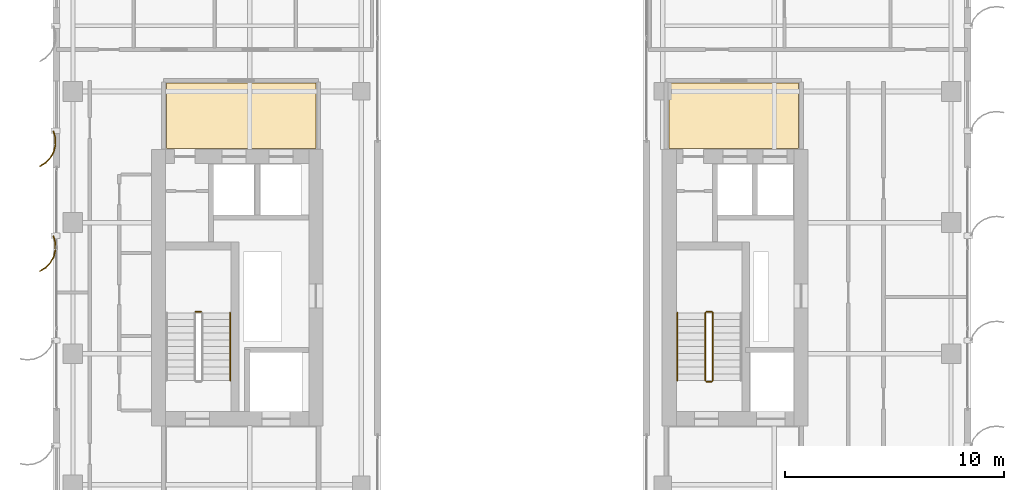
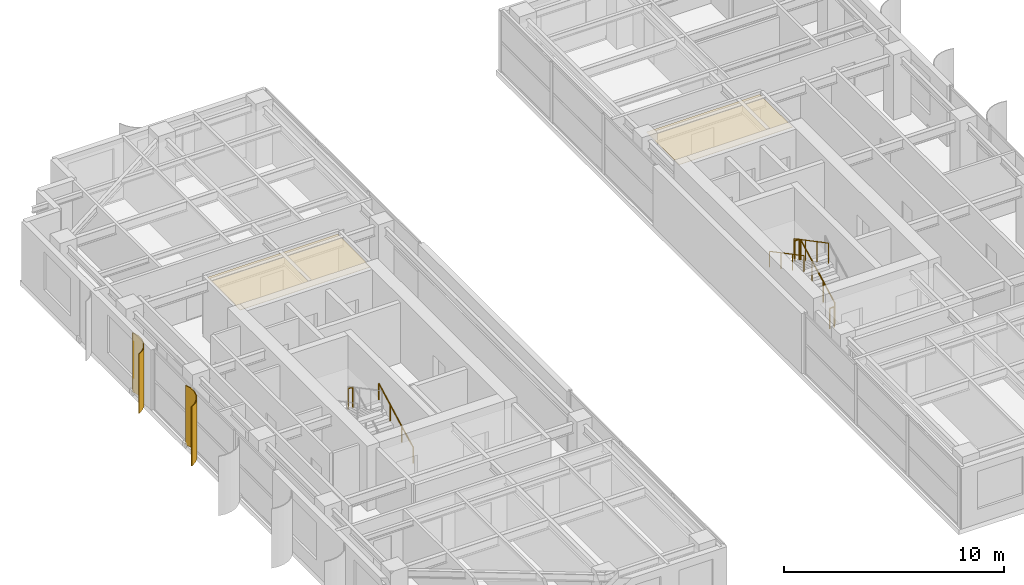
# One storey, part 21 of 22: 7 railings, 2 coverings, 2 shading devices.
"""IFC4 building model written with IfcOpenShell, lengths in metres."""

from ifc_helpers import new_model, si_unit, direction, frame, origin, origin_2d, place, context, subcontext, project, spatial, polyline, circle, outline, extrude, source, transform, mapped, material, layer, layer_set, type_object, element, save


model = new_model("IFC4")

# Units and contexts
model_context = context("Model", 3, precision=1e-05, world=origin(), true_north=direction((0.0, 1.0)))
body_context = subcontext(model_context, "Body", "Model", "MODEL_VIEW")
ifc_project = project(units=[si_unit("LENGTHUNIT", "METRE"), si_unit("AREAUNIT", "SQUARE_METRE"), si_unit("VOLUMEUNIT", "CUBIC_METRE"), si_unit("PLANEANGLEUNIT", "RADIAN"), si_unit("MASSUNIT", "GRAM", prefix="KILO")], contexts=[model_context])

# Site, building, storey
site_placement = place(None, origin())
site = spatial("IfcSite", under=ifc_project, at=site_placement, CompositionType="ELEMENT")
building_placement = place(site_placement, origin())
building = spatial("IfcBuilding", under=site, at=building_placement, Name="Khoralis Quay Care Tower", CompositionType="ELEMENT")
storey_placement = place(building_placement, frame((0.0, 0.0, 191.699951171875)))
storey = spatial("IfcBuildingStorey", under=building, at=storey_placement, Name="L50", CompositionType="ELEMENT", Elevation=191.699951171875)

# Coverings
ifc_material_1 = material(Name="Mineral-fibre acoustic ceiling tile")
ifc_layer_1 = layer(ifc_material_1, 0.01806640625)
ifc_layer_set_1 = layer_set([ifc_layer_1], Name="Mineral-fibre acoustic ceiling tile")
covering_type = type_object("IfcCoveringType", Name="COV-CEIL-AC18", PredefinedType="CEILING", material=ifc_layer_set_1)
covering_1_placement = place(storey_placement, frame((0.0, 0.0, 3.192138671875)))
element("IfcCovering", 1, at=covering_1_placement, inside=storey, type_object=covering_type, Name="Suspended Acoustic Ceiling SP-L50-LLOB-W", PredefinedType="CEILING", context=body_context, shape_type="SweptSolid", body=[
    extrude(outline(polyline([(8.179931640625, 27.39990234375), (15.02001953125, 27.39990234375), (15.02001953125, 30.389892578125), (8.179931640625, 30.389892578125), (8.179931640625, 27.39990234375)])), origin(), (0.0, 0.0, 1.0), 0.017822265625),
])
covering_2_placement = place(storey_placement, frame((0.0, 0.0, 3.192138671875)))
element("IfcCovering", 2, at=covering_2_placement, inside=storey, type_object=covering_type, Name="Suspended Acoustic Ceiling SP-L50-LLOB-E", PredefinedType="CEILING", context=body_context, shape_type="SweptSolid", body=[
    extrude(outline(polyline([(31.179931640625, 27.39990234375), (37.1201171875, 27.39990234375), (37.1201171875, 30.389892578125), (31.179931640625, 30.389892578125), (31.179931640625, 27.39990234375)])), origin(), (0.0, 0.0, 1.0), 0.017822265625),
])

# Railings
ifc_material_2 = material(Name="Brushed stainless steel", Category="steel")
railing_type_1 = type_object("IfcRailingType", Name="RL-GUARD-1150", PredefinedType="GUARDRAIL", material=ifc_material_2)
railing_1_placement = place(storey_placement, frame((9.77001953125, 19.919921875, 1.800048828125)))
element("IfcRailing", 3, at=railing_1_placement, inside=storey, type_object=railing_type_1, Name="L50 ST-T1 stair guard 2", PredefinedType="GUARDRAIL", context=body_context, shape_type="SweptSolid", body=[
    extrude(circle(Radius=0.02392578125, at=origin_2d()), frame((0.0, 0.0, 1.1259765625), z_axis=(-1.0, 0.0, 0.0), x_axis=(0.0, -1.0, 0.0)), (0.0, 0.0, 1.0), 0.239990234375),
    extrude(circle(Radius=0.02099609375, at=origin_2d()), origin(), (0.0, 0.0, 1.0), 1.101806640625),
    extrude(circle(Radius=0.02099609375, at=origin_2d()), frame((-0.239990234375, 0.0, 0.0)), (0.0, 0.0, 1.0), 1.101806640625),
])
railing_2_placement = place(storey_placement, frame((33.18994140625, 16.77001953125, 0.16357421875)))
element("IfcRailing", 4, at=railing_2_placement, inside=storey, type_object=railing_type_1, Name="L50 ST-T2 stair guard 1", PredefinedType="GUARDRAIL", context=body_context, shape_type="SweptSolid", body=[
    extrude(circle(Radius=0.02392578125, at=origin_2d()), frame((0.0, 0.0, 1.1259765625), z_axis=(0.0, 0.884348015382, 0.466828220752), x_axis=(-1.0, 0.0, 0.0)), (0.0, 0.0, 1.0), 3.505615234375),
    extrude(circle(Radius=0.02099609375, at=origin_2d()), origin(), (0.0, 0.0, 1.0), 1.101806640625),
    extrude(circle(Radius=0.02099609375, at=origin_2d()), frame((0.0, 1.033447265625, 0.54541015625)), (0.0, 0.0, 1.0), 1.101806640625),
    extrude(circle(Radius=0.02099609375, at=origin_2d()), frame((0.0, 2.066650390625, 1.091064453125)), (0.0, 0.0, 1.0), 1.101806640625),
    extrude(circle(Radius=0.02099609375, at=origin_2d()), frame((0.0, 3.10009765625, 1.636474609375)), (0.0, 0.0, 1.0), 1.101806640625),
])
railing_3_placement = place(storey_placement, frame((33.139892578125, 19.919921875, 1.800048828125)))
element("IfcRailing", 5, at=railing_3_placement, inside=storey, type_object=railing_type_1, Name="L50 ST-T2 stair guard 2", PredefinedType="GUARDRAIL", context=body_context, shape_type="SweptSolid", body=[
    extrude(circle(Radius=0.02392578125, at=origin_2d()), frame((0.0, 0.0, 1.1259765625), z_axis=(-1.0, 0.0, 0.0), x_axis=(0.0, -1.0, 0.0)), (0.0, 0.0, 1.0), 0.239990234375),
    extrude(circle(Radius=0.02099609375, at=origin_2d()), origin(), (0.0, 0.0, 1.0), 1.101806640625),
    extrude(circle(Radius=0.02099609375, at=origin_2d()), frame((-0.239990234375, 0.0, 0.0)), (0.0, 0.0, 1.0), 1.101806640625),
])
railing_4_placement = place(storey_placement, frame((32.85009765625, 19.8701171875, 1.963623046875)))
element("IfcRailing", 6, at=railing_4_placement, inside=storey, type_object=railing_type_1, Name="L50 ST-T2 stair guard 3", PredefinedType="GUARDRAIL", context=body_context, shape_type="SweptSolid", body=[
    extrude(circle(Radius=0.02392578125, at=origin_2d()), frame((0.0, 0.0, 1.1259765625), z_axis=(0.0, -0.884348015382, 0.466828220752), x_axis=(1.0, 0.0, 0.0)), (0.0, 0.0, 1.0), 3.505615234375),
    extrude(circle(Radius=0.02099609375, at=origin_2d()), origin(), (0.0, 0.0, 1.0), 1.101806640625),
    extrude(circle(Radius=0.02099609375, at=origin_2d()), frame((0.0, -1.033447265625, 0.54541015625)), (0.0, 0.0, 1.0), 1.101806640625),
    extrude(circle(Radius=0.02099609375, at=origin_2d()), frame((0.0, -2.066650390625, 1.091064453125)), (0.0, 0.0, 1.0), 1.101806640625),
    extrude(circle(Radius=0.02099609375, at=origin_2d()), frame((0.0, -3.10009765625, 1.636474609375)), (0.0, 0.0, 1.0), 1.101806640625),
])
railing_5_placement = place(storey_placement, frame((33.139892578125, 16.719970703125, 0.0)))
element("IfcRailing", 7, at=railing_5_placement, inside=storey, type_object=railing_type_1, Name="L50 ST-T2 stair guard 4", PredefinedType="GUARDRAIL", context=body_context, shape_type="SweptSolid", body=[
    extrude(circle(Radius=0.02392578125, at=origin_2d()), frame((0.0, 0.0, 1.1259765625), z_axis=(-1.0, 0.0, 0.0), x_axis=(0.0, -1.0, 0.0)), (0.0, 0.0, 1.0), 0.239990234375),
    extrude(circle(Radius=0.02099609375, at=origin_2d()), origin(), (0.0, 0.0, 1.0), 1.101806640625),
    extrude(circle(Radius=0.02099609375, at=origin_2d()), frame((-0.239990234375, 0.0, 0.0)), (0.0, 0.0, 1.0), 1.101806640625),
])
railing_type_2 = type_object("IfcRailingType", Name="RL-HAND-900", PredefinedType="HANDRAIL", material=ifc_material_2)
railing_6_placement = place(storey_placement, frame((11.10009765625, 16.77001953125, 0.16357421875)))
element("IfcRailing", 8, at=railing_6_placement, inside=storey, type_object=railing_type_2, Name="L50 ST-T1 stair handrail 1", PredefinedType="HANDRAIL", context=body_context, shape_type="SweptSolid", body=[
    extrude(circle(Radius=0.02392578125, at=origin_2d()), frame((0.0, 0.0, 0.8759765625), z_axis=(0.0, 0.884348015382, 0.466828220752), x_axis=(-1.0, 0.0, 0.0)), (0.0, 0.0, 1.0), 3.505615234375),
    extrude(circle(Radius=0.02099609375, at=origin_2d()), origin(), (0.0, 0.0, 1.0), 0.851806640625),
    extrude(circle(Radius=0.02099609375, at=origin_2d()), frame((0.0, 1.033447265625, 0.54541015625)), (0.0, 0.0, 1.0), 0.851806640625),
    extrude(circle(Radius=0.02099609375, at=origin_2d()), frame((0.0, 2.066650390625, 1.091064453125)), (0.0, 0.0, 1.0), 0.851806640625),
    extrude(circle(Radius=0.02099609375, at=origin_2d()), frame((0.0, 3.10009765625, 1.636474609375)), (0.0, 0.0, 1.0), 0.851806640625),
])
railing_7_placement = place(storey_placement, frame((31.570068359375, 19.8701171875, 1.963623046875)))
element("IfcRailing", 9, at=railing_7_placement, inside=storey, type_object=railing_type_2, Name="L50 ST-T2 stair handrail 2", PredefinedType="HANDRAIL", context=body_context, shape_type="SweptSolid", body=[
    extrude(circle(Radius=0.02392578125, at=origin_2d()), frame((0.0, 0.0, 0.8759765625), z_axis=(0.0, -0.884348015382, 0.466828220752), x_axis=(1.0, 0.0, 0.0)), (0.0, 0.0, 1.0), 3.505615234375),
    extrude(circle(Radius=0.02099609375, at=origin_2d()), origin(), (0.0, 0.0, 1.0), 0.851806640625),
    extrude(circle(Radius=0.02099609375, at=origin_2d()), frame((0.0, -1.033447265625, 0.54541015625)), (0.0, 0.0, 1.0), 0.851806640625),
    extrude(circle(Radius=0.02099609375, at=origin_2d()), frame((0.0, -2.066650390625, 1.091064453125)), (0.0, 0.0, 1.0), 0.851806640625),
    extrude(circle(Radius=0.02099609375, at=origin_2d()), frame((0.0, -3.10009765625, 1.636474609375)), (0.0, 0.0, 1.0), 0.851806640625),
])

# Shading devices
ifc_material_3 = material(Name="Brushed pale anodised aluminium", Category="aluminium")
ifc_layer_2 = layer(ifc_material_3, 0.044921875)
ifc_layer_set_2 = layer_set([ifc_layer_2], Name="Brushed pale anodised aluminium")
shading_device_type = type_object("IfcShadingDeviceType", Name="SHD-FIN-1250", PredefinedType="USERDEFINED", material=ifc_layer_set_2)
shared_shape = source(origin(), body_context, "Body", "SweptSolid", [
    extrude(outline(polyline([(0.0, 0.0), (-0.0927734375, 0.31298828125), (-0.101318359375, 0.63916015625), (-0.025146484375, 0.956298828125), (0.130615234375, 1.2431640625), (0.355224609375, 1.479736328125), (0.633544921875, 1.650390625), (0.65185546875, 1.609130859375), (0.383544921875, 1.44482421875), (0.1669921875, 1.216796875), (0.01708984375, 0.940185546875), (-0.056396484375, 0.63427734375), (-0.04833984375, 0.31982421875), (0.041015625, 0.018310546875), (0.0, 0.0)])), origin(), (0.0, 0.0, 1.0), 3.280029296875),
])
for number, where, z_axis, x_axis, name in (
    (10, (3.030029296875, 28.199951171875, 0.02001953125), (0.0, 0.0, 1.0), (-1.0, 0.0, 0.0), "L50 Curved Solar Fin P1E7-02"),
    (11, (3.030029296875, 23.39990234375, 0.02001953125), (0.0, 0.0, 1.0), (-1.0, 0.0, 0.0), "L50 Curved Solar Fin P1E7-03"),
):
    element("IfcShadingDevice", number, at=place(storey_placement, frame(where, z_axis=z_axis, x_axis=x_axis)), inside=storey, type_object=shading_device_type, Name=name, ObjectType="FIN", PredefinedType="USERDEFINED", context=body_context, shape_type="MappedRepresentation", body=[
        mapped(shared_shape, transform((0.0, 0.0, 0.0), scale=1.0)),
    ])

save(model, "model.ifc")
